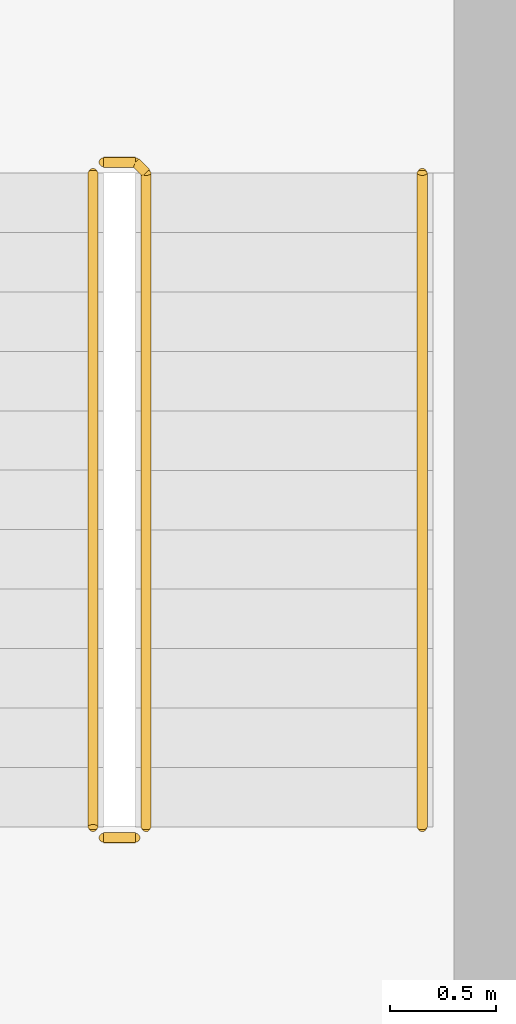
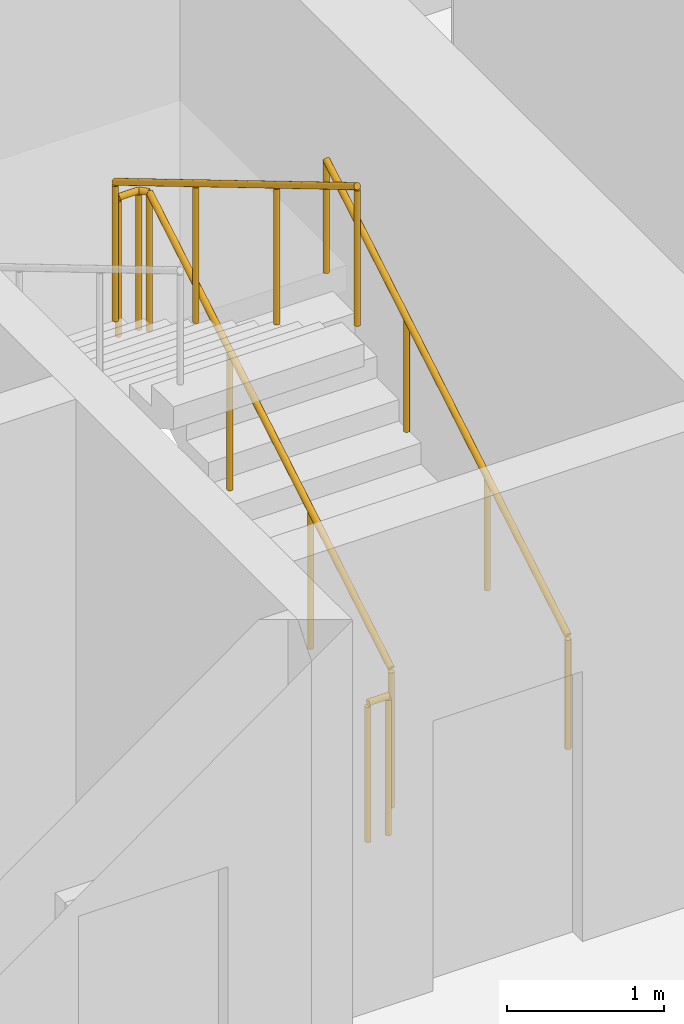
# One storey, part 14 of 14: 4 railings.
"""IFC4 building model written with IfcOpenShell, lengths in metres."""

import ifcopenshell
import ifcopenshell.guid

model = None  # the IFC model being written
_history = None  # IfcOwnerHistory: only IFC2X3 demands one
_inside = {}  # id of a spatial element -> (the spatial element, [elements in it])
_under = {}  # id of a project, library or spatial element -> (it, [spatial elements below it])
_declared = {}  # id of a project -> (the project, [libraries it declares])
_typed = {}  # id of a type object -> (the type object, [elements of that type])
_made_of = {}  # id of a material, layer set ... -> (it, [elements and type objects made of it])


def new_model(schema):
    """Start an empty IFC model of exactly this schema.

    Asked for "IFC4X3", IfcOpenShell would pick the latest addendum, in which some entities
    have other attributes; the version numbers below select the first issue.
    IFC2X3 requires an IfcOwnerHistory on every rooted entity: one is made here for all.
    """
    global model, _history
    if schema == "IFC4X3":
        model = ifcopenshell.file(schema_version=(4, 3, 0, 0))
    else:
        model = ifcopenshell.file(schema=schema)
    _inside.clear()
    _under.clear()
    _declared.clear()
    _typed.clear()
    _made_of.clear()
    _history = None
    if model.schema == "IFC2X3":
        org = make("IfcOrganization", Name="unknown")
        user = make(
            "IfcPersonAndOrganization",
            ThePerson=make("IfcPerson", FamilyName="unknown"),
            TheOrganization=org,
        )
        app = make(
            "IfcApplication",
            ApplicationDeveloper=org,
            Version="unknown",
            ApplicationFullName="unknown",
            ApplicationIdentifier="unknown",
        )
        _history = make(
            "IfcOwnerHistory",
            OwningUser=user,
            OwningApplication=app,
            ChangeAction="ADDED",
            CreationDate=0,
        )
    return model


def make(cls, **values):
    """One entity of the class cls with the attributes given. An attribute that is None is left unset."""
    return model.create_entity(
        cls, **{name: value for name, value in values.items() if value is not None}
    )


def rooted(cls, **values):
    """An entity with a GlobalId (a new one), such as an element, a storey or a relation."""
    return make(cls, GlobalId=ifcopenshell.guid.new(), OwnerHistory=_history, **values)


def si_unit(unit_type, name, prefix=None):
    """IfcSIUnit, for example si_unit("LENGTHUNIT", "METRE", prefix="MILLI")."""
    return make("IfcSIUnit", UnitType=unit_type, Prefix=prefix, Name=name)


def assignment(units):
    """IfcUnitAssignment: the units of a project."""
    return None if units is None else make("IfcUnitAssignment", Units=units)


def point(xyz):
    """IfcCartesianPoint."""
    return None if xyz is None else make("IfcCartesianPoint", Coordinates=xyz)


def direction(xyz):
    """IfcDirection."""
    return None if xyz is None else make("IfcDirection", DirectionRatios=xyz)


def frame(location, z_axis=None, x_axis=None):
    """IfcAxis2Placement3D, a coordinate frame: its origin and axes. An axis left out is left unset."""
    return make(
        "IfcAxis2Placement3D",
        Location=point(location),
        Axis=direction(z_axis),
        RefDirection=direction(x_axis),
    )


def frame_2d(location, x_axis=None):
    """IfcAxis2Placement2D, a coordinate frame in the plane: its origin and x axis."""
    return make(
        "IfcAxis2Placement2D", Location=point(location), RefDirection=direction(x_axis)
    )


def origin():
    """The frame at (0, 0, 0) with its axes left unset."""
    return frame((0.0, 0.0, 0.0))


def origin_2d():
    """The frame at (0, 0) in the plane with its x axis left unset."""
    return frame_2d((0.0, 0.0))


def place(relative_to, where):
    """IfcLocalPlacement: puts the frame where relative to a parent placement (None: the world)."""
    return make(
        "IfcLocalPlacement", PlacementRelTo=relative_to, RelativePlacement=where
    )


def context(
    kind, dimensions, precision=None, world=None, true_north=None, identifier=None
):
    """IfcGeometricRepresentationContext, for example the 3D "Model" context."""
    return make(
        "IfcGeometricRepresentationContext",
        ContextIdentifier=identifier,
        ContextType=kind,
        CoordinateSpaceDimension=dimensions,
        Precision=precision,
        WorldCoordinateSystem=world,
        TrueNorth=true_north,
    )


def subcontext(parent, identifier, kind, view, scale=None):
    """IfcGeometricRepresentationSubContext, for example "Body" below "Model"."""
    return make(
        "IfcGeometricRepresentationSubContext",
        ContextIdentifier=identifier,
        ContextType=kind,
        ParentContext=parent,
        TargetScale=scale,
        TargetView=view,
    )


def project(units=None, contexts=None):
    """IfcProject with its units and contexts."""
    return rooted(
        "IfcProject",
        Name="project",
        RepresentationContexts=contexts,
        UnitsInContext=assignment(units),
    )


def spatial(cls, under=None, at=None, **own):
    """A site, building, storey or space (cls), placed at a placement, below another one or the project."""
    s = rooted(cls, ObjectPlacement=at, **own)
    if under is not None:
        _under.setdefault(under.id(), (under, []))[1].append(s)
    return s


def profile(cls, at=None, kind="AREA", **sizes):
    """A parametric profile (cls). Its sizes go by their IFC names, for example OverallWidth=200.0."""
    return make(cls, ProfileType=kind, Position=at, **sizes)


def circle(**sizes):
    """IfcCircleProfileDef."""
    return profile("IfcCircleProfileDef", **sizes)


def extrude(swept, where, along, depth):
    """IfcExtrudedAreaSolid: the profile swept, set in the frame where, extruded along a direction by depth."""
    return make(
        "IfcExtrudedAreaSolid",
        SweptArea=swept,
        Position=where,
        ExtrudedDirection=direction(along),
        Depth=depth,
    )


def shape(context_of_items, identifier, shape_type, items):
    """IfcShapeRepresentation: the items that make up one representation, for example the "Body"."""
    return make(
        "IfcShapeRepresentation",
        ContextOfItems=context_of_items,
        RepresentationIdentifier=identifier,
        RepresentationType=shape_type,
        Items=items,
    )


def material(Name=None, Category=None):
    """IfcMaterial."""
    return make("IfcMaterial", Name=Name, Category=Category)


def made_of(thing, what):
    """Note that an element or type object is made of a material, layer set ...; save() writes the relation."""
    if what is not None:
        _made_of.setdefault(what.id(), (what, []))[1].append(thing)
    return thing


def type_object(cls, material=None, **own):
    """A type object (cls), such as IfcWallType, which elements share."""
    return made_of(rooted(cls, **own), material)


def element(
    cls,
    number,
    at=None,
    inside=None,
    cuts=None,
    type_object=None,
    material=None,
    context=None,
    identifier="Body",
    shape_type=None,
    held_by="IfcProductDefinitionShape",
    body=None,
    shapes=None,
    **own,
):
    """One element of the class cls, such as IfcWall. Its Tag is "e" and its number.

    at: its placement. inside: the storey or other place that contains it. cuts: it is an
    opening in that element (IfcRelVoidsElement). A single representation is given by context,
    identifier, shape_type and body (its items); several are given by shapes. held_by: the class
    of the entity that holds the representations. save() writes the other relations.
    """
    e = rooted(cls, Tag="e%d" % number, ObjectPlacement=at, **own)
    if body is not None:
        shapes = [shape(context, identifier, shape_type, body)]
    if shapes is not None:
        e.Representation = make(held_by, Representations=shapes)
    if inside is not None:
        _inside.setdefault(inside.id(), (inside, []))[1].append(e)
    if cuts is not None:
        rooted(
            "IfcRelVoidsElement", RelatingBuildingElement=cuts, RelatedOpeningElement=e
        )
    if type_object is not None:
        _typed.setdefault(type_object.id(), (type_object, []))[1].append(e)
    return made_of(e, material)


def aggregate(whole, parts):
    """IfcRelAggregates: a whole, such as a stair, and the parts it consists of."""
    return rooted("IfcRelAggregates", RelatingObject=whole, RelatedObjects=parts)


def save(model, path):
    """Write the relations noted so far, then the file.

    IfcRelAggregates (storeys below a building ...), IfcRelContainedInSpatialStructure (elements
    in a storey), IfcRelDefinesByType, IfcRelAssociatesMaterial and IfcRelDeclares: one each for
    every whole, place, type object, material and project.
    """
    for whole, parts in _under.values():
        aggregate(whole, parts)
    for where, things in _inside.values():
        rooted(
            "IfcRelContainedInSpatialStructure",
            RelatedElements=things,
            RelatingStructure=where,
        )
    for kind, things in _typed.values():
        rooted("IfcRelDefinesByType", RelatedObjects=things, RelatingType=kind)
    for what, things in _made_of.values():
        rooted("IfcRelAssociatesMaterial", RelatedObjects=things, RelatingMaterial=what)
    for by, libraries in _declared.values():
        rooted("IfcRelDeclares", RelatingContext=by, RelatedDefinitions=libraries)
    model.write(path)


model = new_model("IFC4")

# Units and contexts
model_context = context("Model", 3, precision=1e-05, world=origin(), true_north=direction((0.0, 1.0)))
body_context = subcontext(model_context, "Body", "Model", "MODEL_VIEW")
ifc_project = project(units=[si_unit("LENGTHUNIT", "METRE"), si_unit("AREAUNIT", "SQUARE_METRE"), si_unit("VOLUMEUNIT", "CUBIC_METRE"), si_unit("PLANEANGLEUNIT", "RADIAN"), si_unit("MASSUNIT", "GRAM", prefix="KILO")], contexts=[model_context])

# Site, building, storey
site_placement = place(None, origin())
site = spatial("IfcSite", under=ifc_project, at=site_placement, CompositionType="ELEMENT")
building_placement = place(site_placement, origin())
building = spatial("IfcBuilding", under=site, at=building_placement, Name="Mopane Tessera Tower", CompositionType="ELEMENT")
storey_placement = place(building_placement, frame((0.0, 0.0, 215.0)))
storey = spatial("IfcBuildingStorey", under=building, at=storey_placement, Name="L45", CompositionType="ELEMENT", Elevation=215.0)

# Railings
ifc_material_1 = material(Name="Powder-coated steel balustrade", Category="steel")
railing_type_1 = type_object("IfcRailingType", Name="Escape stair guard 1100 mm", PredefinedType="GUARDRAIL", material=ifc_material_1)
railing_1_placement = place(storey_placement, frame((12.35009765625, 7.699951171875, 0.166748046875)))
element("IfcRailing", 1, at=railing_1_placement, inside=storey, type_object=railing_type_1, Name="L45 ST4 stair guard 1", PredefinedType="GUARDRAIL", context=body_context, shape_type="SweptSolid", body=[
    extrude(circle(Radius=0.02392578125, at=origin_2d()), frame((0.0, 0.0, 1.076171875), z_axis=(0.0, 0.859308565015, 0.511457515432), x_axis=(-1.0, 0.0, 0.0)), (0.0, 0.0, 1.0), 3.58447265625),
    extrude(circle(Radius=0.02392578125, at=origin_2d()), frame((0.0, 3.080078125, 2.9091796875), z_axis=(-0.707106781187, 0.707106781187, 0.0), x_axis=(-0.707106781187, -0.707106781187, 0.0)), (0.0, 0.0, 1.0), 0.07080078125),
    extrude(circle(Radius=0.02392578125, at=origin_2d()), frame((-0.050048828125, 3.130126953125, 2.9091796875), z_axis=(-1.0, 0.0, 0.0), x_axis=(0.0, -1.0, 0.0)), (0.0, 0.0, 1.0), 0.150146484375),
    extrude(circle(Radius=0.02099609375, at=origin_2d()), origin(), (0.0, 0.0, 1.0), 1.052001953125),
    extrude(circle(Radius=0.02099609375, at=origin_2d()), frame((0.0, 1.026611328125, 0.611083984375)), (0.0, 0.0, 1.0), 1.052001953125),
    extrude(circle(Radius=0.02099609375, at=origin_2d()), frame((0.0, 2.053466796875, 1.22216796875)), (0.0, 0.0, 1.0), 1.052001953125),
    extrude(circle(Radius=0.02099609375, at=origin_2d()), frame((0.0, 3.080078125, 1.833251953125)), (0.0, 0.0, 1.0), 1.052001953125),
    extrude(circle(Radius=0.02099609375, at=origin_2d()), frame((-0.050048828125, 3.130126953125, 1.833251953125)), (0.0, 0.0, 1.0), 1.052001953125),
    extrude(circle(Radius=0.02099609375, at=origin_2d()), frame((-0.2001953125, 3.130126953125, 1.833251953125)), (0.0, 0.0, 1.0), 1.052001953125),
])
railing_2_placement = place(storey_placement, frame((12.10009765625, 10.780029296875, 2.166748046875)))
element("IfcRailing", 2, at=railing_2_placement, inside=storey, type_object=railing_type_1, Name="L45 ST4 stair guard 2", PredefinedType="GUARDRAIL", context=body_context, shape_type="SweptSolid", body=[
    extrude(circle(Radius=0.02392578125, at=origin_2d()), frame((0.0, 0.0, 1.076171875), z_axis=(0.0, -0.859308565015, 0.511457515432), x_axis=(1.0, 0.0, 0.0)), (0.0, 0.0, 1.0), 3.58447265625),
    extrude(circle(Radius=0.02099609375, at=origin_2d()), origin(), (0.0, 0.0, 1.0), 1.052001953125),
    extrude(circle(Radius=0.02099609375, at=origin_2d()), frame((0.0, -1.026611328125, 0.611083984375)), (0.0, 0.0, 1.0), 1.052001953125),
    extrude(circle(Radius=0.02099609375, at=origin_2d()), frame((0.0, -2.053466796875, 1.22216796875)), (0.0, 0.0, 1.0), 1.052001953125),
    extrude(circle(Radius=0.02099609375, at=origin_2d()), frame((0.0, -3.080078125, 1.833251953125)), (0.0, 0.0, 1.0), 1.052001953125),
])
railing_3_placement = place(storey_placement, frame((12.300048828125, 7.64990234375, 0.0)))
element("IfcRailing", 3, at=railing_3_placement, inside=storey, type_object=railing_type_1, Name="L45 ST4 stair guard 3", PredefinedType="GUARDRAIL", context=body_context, shape_type="SweptSolid", body=[
    extrude(circle(Radius=0.02392578125, at=origin_2d()), frame((0.0, 0.0, 1.076171875), z_axis=(-1.0, 0.0, 0.0), x_axis=(0.0, -1.0, 0.0)), (0.0, 0.0, 1.0), 0.150146484375),
    extrude(circle(Radius=0.02099609375, at=origin_2d()), origin(), (0.0, 0.0, 1.0), 1.052001953125),
    extrude(circle(Radius=0.02099609375, at=origin_2d()), frame((-0.150146484375, 0.0, 0.0)), (0.0, 0.0, 1.0), 1.052001953125),
])
ifc_material_2 = material(Name="Powder-coated steel balustrade", Category="steel")
railing_type_2 = type_object("IfcRailingType", Name="Escape stair handrail 900 mm", PredefinedType="HANDRAIL", material=ifc_material_2)
railing_4_placement = place(storey_placement, frame((13.64990234375, 7.699951171875, 0.166748046875)))
element("IfcRailing", 4, at=railing_4_placement, inside=storey, type_object=railing_type_2, Name="L45 ST4 stair handrail 1", PredefinedType="HANDRAIL", context=body_context, shape_type="SweptSolid", body=[
    extrude(circle(Radius=0.02392578125, at=origin_2d()), frame((0.0, 0.0, 0.8759765625), z_axis=(0.0, 0.859308565015, 0.511457515432), x_axis=(-1.0, 0.0, 0.0)), (0.0, 0.0, 1.0), 3.58447265625),
    extrude(circle(Radius=0.02099609375, at=origin_2d()), origin(), (0.0, 0.0, 1.0), 0.851806640625),
    extrude(circle(Radius=0.02099609375, at=origin_2d()), frame((0.0, 1.026611328125, 0.611083984375)), (0.0, 0.0, 1.0), 0.851806640625),
    extrude(circle(Radius=0.02099609375, at=origin_2d()), frame((0.0, 2.053466796875, 1.22216796875)), (0.0, 0.0, 1.0), 0.851806640625),
    extrude(circle(Radius=0.02099609375, at=origin_2d()), frame((0.0, 3.080078125, 1.833251953125)), (0.0, 0.0, 1.0), 0.851806640625),
])

save(model, "model.ifc")
